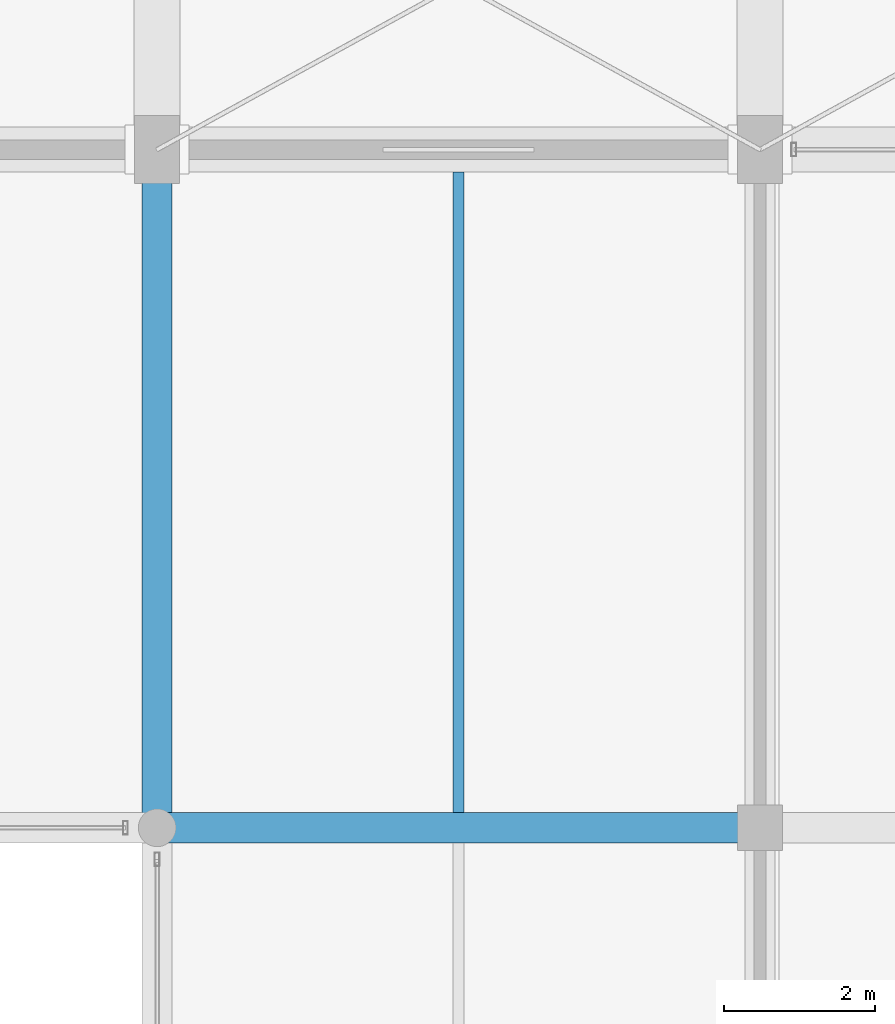
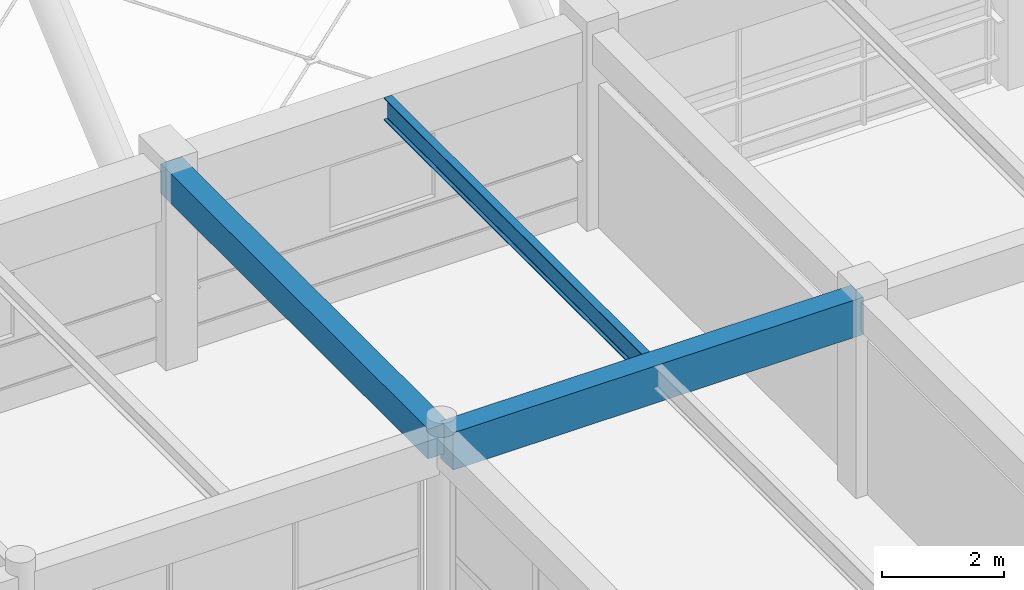
# One storey, part 29 of 126: 3 beams.
"""IFC4 building model written with IfcOpenShell, lengths in metres."""

from ifc_helpers import new_model, si_unit, direction, frame, origin, origin_2d, place, context, subcontext, project, spatial, rectangle, i_section, extrude, material, material_profile, profile_set, type_object, element, save


model = new_model("IFC4")

# Units and contexts
model_context = context("Model", 3, precision=1e-05, world=origin(), true_north=direction((0.0, 1.0)))
body_context = subcontext(model_context, "Body", "Model", "MODEL_VIEW")
ifc_project = project(units=[si_unit("LENGTHUNIT", "METRE"), si_unit("AREAUNIT", "SQUARE_METRE"), si_unit("VOLUMEUNIT", "CUBIC_METRE"), si_unit("PLANEANGLEUNIT", "RADIAN"), si_unit("MASSUNIT", "GRAM", prefix="KILO")], contexts=[model_context])

# Site, building, storey
site_placement = place(None, origin())
site = spatial("IfcSite", under=ifc_project, at=site_placement, CompositionType="ELEMENT")
building_placement = place(site_placement, origin())
building = spatial("IfcBuilding", under=site, at=building_placement, Name="Varnabhumi Central Station", CompositionType="ELEMENT")
storey_placement = place(building_placement, frame((0.0, 0.0, 16.199951171875)))
storey = spatial("IfcBuildingStorey", under=building, at=storey_placement, Name="L03", CompositionType="ELEMENT", Elevation=16.199951171875)

# Beams
ifc_material_1 = material(Name="Structural steel E350", Category="steel")
ifc_material_profile_1 = material_profile(ifc_material_1, i_section(OverallWidth=0.14990234375, OverallDepth=0.449951171875, WebThickness=0.009521484375, FlangeThickness=0.017333984375, FilletRadius=0.014892578125, at=origin_2d()), Name="Structural steel E350", Category="steel")
ifc_profile_set_1 = profile_set([ifc_material_profile_1], Name="Structural steel E350")
beam_type_1 = type_object("IfcBeamType", Name="BM-JST-ISMB450", PredefinedType="JOIST", material=ifc_profile_set_1)
beam_1_placement = place(storey_placement, frame((148.0, 27.199951171875, 3.695068359375), z_axis=(0.0, 1.0, 0.0), x_axis=(-1.0, 0.0, 0.0)))
element("IfcBeam", 1, at=beam_1_placement, inside=storey, type_object=beam_type_1, Name="Secondary Joist L03-19/20:D-E", PredefinedType="JOIST", context=body_context, shape_type="SweptSolid", body=[
    extrude(i_section(OverallWidth=0.14990234375, OverallDepth=0.449951171875, WebThickness=0.009521484375, FlangeThickness=0.017333984375, FilletRadius=0.014892578125, at=origin_2d()), origin(), (0.0, 0.0, 1.0), 8.5),
])
ifc_material_2 = material(Name="Concrete M40", Category="concrete")
ifc_material_profile_2 = material_profile(ifc_material_2, rectangle(XDim=0.39990234375, YDim=0.60009765625, at=origin_2d()), Name="Concrete M40", Category="concrete")
ifc_profile_set_2 = profile_set([ifc_material_profile_2], Name="Concrete M40")
beam_type_2 = type_object("IfcBeamType", Name="BM-RC-400x600", PredefinedType="BEAM", material=ifc_profile_set_2)
beam_2_placement = place(storey_placement, frame((144.0, 27.10009765625, 3.6201171875), z_axis=(0.0, 1.0, 0.0), x_axis=(-1.0, 0.0, 0.0)))
element("IfcBeam", 2, at=beam_2_placement, inside=storey, type_object=beam_type_2, Name="Beam L03-19:D-E", PredefinedType="BEAM", context=body_context, shape_type="SweptSolid", body=[
    extrude(rectangle(XDim=0.39990234375, YDim=0.60009765625, at=origin_2d()), origin(), (0.0, 0.0, 1.0), 8.7998046875),
])
ifc_material_profile_3 = material_profile(ifc_material_2, rectangle(XDim=0.39990234375, YDim=0.75, at=origin_2d()), Name="Concrete M40", Category="concrete")
ifc_profile_set_3 = profile_set([ifc_material_profile_3], Name="Concrete M40")
beam_type_3 = type_object("IfcBeamType", Name="BM-RC-400x750", PredefinedType="BEAM", material=ifc_profile_set_3)
beam_3_placement = place(storey_placement, frame((144.10009765625, 27.0, 3.545166015625), z_axis=(1.0, 0.0, 0.0), x_axis=(0.0, 1.0, 0.0)))
element("IfcBeam", 3, at=beam_3_placement, inside=storey, type_object=beam_type_3, Name="Beam L03-D:19-20", PredefinedType="BEAM", context=body_context, shape_type="SweptSolid", body=[
    extrude(rectangle(XDim=0.39990234375, YDim=0.75, at=origin_2d()), origin(), (0.0, 0.0, 1.0), 7.7998046875),
])

save(model, "model.ifc")
